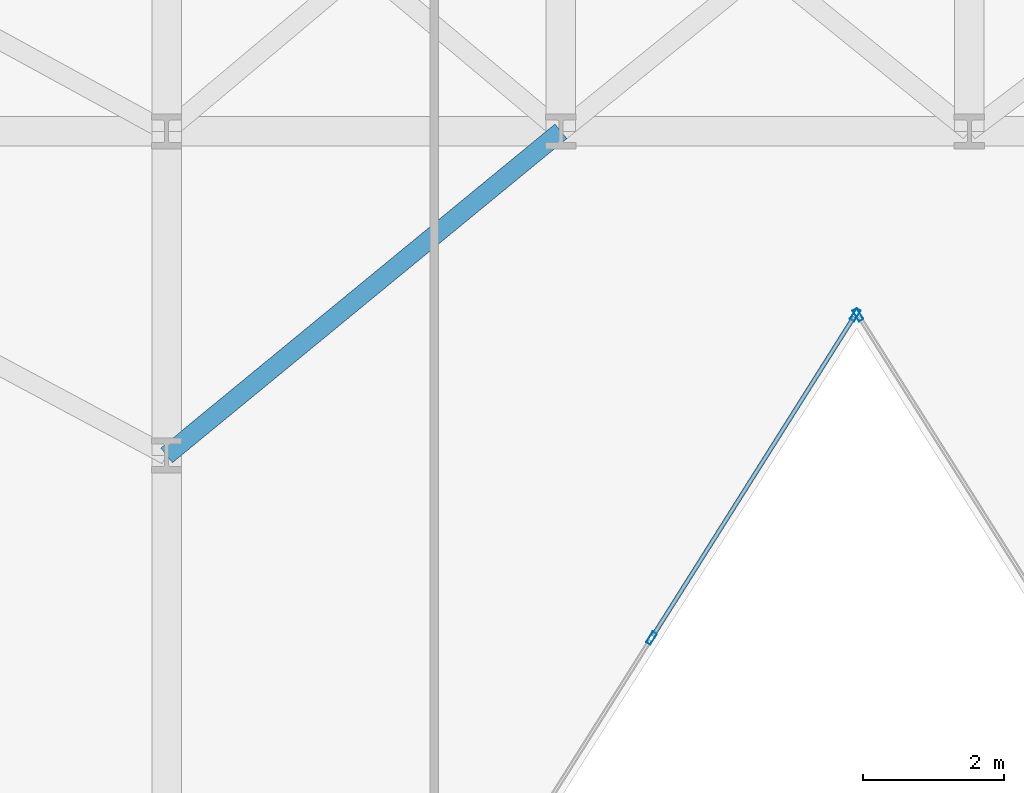
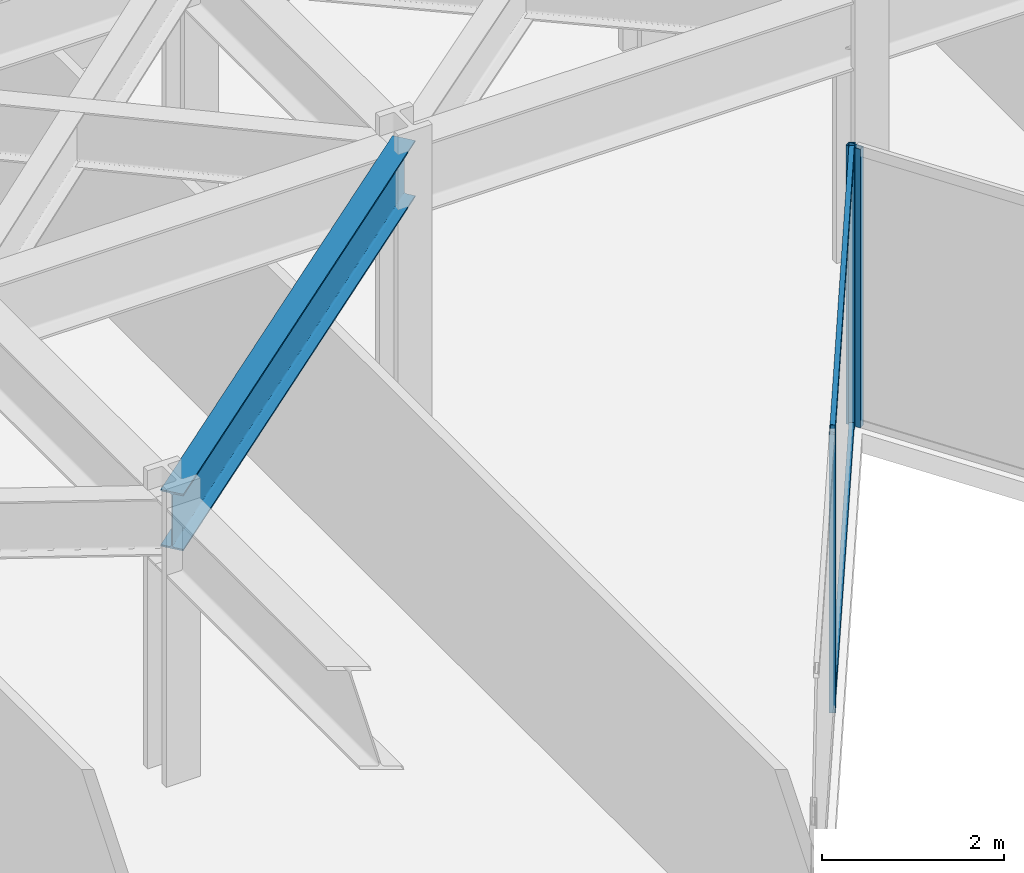
# One storey, part 10 of 24: 5 members, 1 beam, 2 elements without a shape of their own.
"""IFC4 building model written with IfcOpenShell, lengths in metres."""

from ifc_helpers import new_model, si_unit, direction, frame, origin, origin_2d, place, context, subcontext, project, spatial, hollow_rectangle, i_section, extrude, material, layer, layer_set, material_profile, profile_set, type_object, element, aggregate, save


model = new_model("IFC4")

# Units and contexts
model_context = context("Model", 3, precision=1e-05, world=origin(), true_north=direction((0.0, 1.0)))
body_context = subcontext(model_context, "Body", "Model", "MODEL_VIEW")
ifc_project = project(units=[si_unit("LENGTHUNIT", "METRE"), si_unit("AREAUNIT", "SQUARE_METRE"), si_unit("VOLUMEUNIT", "CUBIC_METRE"), si_unit("PLANEANGLEUNIT", "RADIAN"), si_unit("MASSUNIT", "GRAM", prefix="KILO")], contexts=[model_context])

# Site, building, storey
site_placement = place(None, origin())
site = spatial("IfcSite", under=ifc_project, at=site_placement, CompositionType="ELEMENT")
building_placement = place(site_placement, origin())
building = spatial("IfcBuilding", under=site, at=building_placement, Name="Kravanh Interchange Tower", CompositionType="ELEMENT")
storey_placement = place(building_placement, frame((0.0, 0.0, 77.5)))
storey = spatial("IfcBuildingStorey", under=building, at=storey_placement, Name="L18", CompositionType="ELEMENT", Elevation=77.5)

# Curtain wall, member
ifc_material_1 = material(Name="Anodised Bronze Aluminium", Category="aluminium")
ifc_layer = layer(ifc_material_1, 0.179931640625)
ifc_layer_set = layer_set([ifc_layer], Name="Unitised Curtain Wall System CW-Z1 Lower Office")
curtain_wall_type = type_object("IfcCurtainWallType", Name="Unitised Curtain Wall System CW-Z1 Lower Office", PredefinedType="NOTDEFINED", material=ifc_layer_set)
curtain_wall_1_placement = place(storey_placement, origin())
curtain_wall_1 = element("IfcCurtainWall", 1, at=curtain_wall_1_placement, inside=storey, type_object=curtain_wall_type, Name="L18 Unitised Curtain Wall CW-L18-04", PredefinedType="NOTDEFINED")
ifc_material_2 = material(Name="Anodised Bronze Aluminium", Category="aluminium")
ifc_material_profile_1 = material_profile(ifc_material_2, hollow_rectangle(XDim=0.070068359375, YDim=0.179931640625, WallThickness=0.00390625, at=origin_2d()), Name="ALU70X180X4")
ifc_profile_set_1 = profile_set([ifc_material_profile_1], Name="Anodised Bronze Aluminium")
member_type_1 = type_object("IfcMemberType", Name="Curtain Wall Mullion ALU70X180X4 Bronze", PredefinedType="MULLION", material=ifc_profile_set_1)
member_1_placement = place(storey_placement, frame((37.0185546875, 24.1953125, 0.0), z_axis=(0.0, 0.0, 1.0), x_axis=(-0.845925530786, -0.53330103728, 0.0)))
member_1 = element("IfcMember", 2, at=member_1_placement, type_object=member_type_1, Name="CW-Z1 mullion 6", PredefinedType="MULLION", context=body_context, shape_type="SweptSolid", body=[
    extrude(hollow_rectangle(XDim=0.070068359375, YDim=0.179931640625, WallThickness=0.00390625, at=origin_2d()), origin(), (0.0, 0.0, 1.0), 3.739990234375),
])
aggregate(curtain_wall_1, [member_1])

# Curtain wall, members
curtain_wall_2_placement = place(storey_placement, origin())
curtain_wall_2 = element("IfcCurtainWall", 3, at=curtain_wall_2_placement, inside=storey, type_object=curtain_wall_type, Name="L18 Unitised Curtain Wall CW-L18-05", PredefinedType="NOTDEFINED")
member_2_placement = place(storey_placement, frame((36.9814453125, 24.1953125, 0.0), z_axis=(0.0, 0.0, 1.0), x_axis=(0.845925530786, -0.53330103728, 0.0)))
member_2 = element("IfcMember", 4, at=member_2_placement, type_object=member_type_1, Name="CW-Z1 mullion 1", PredefinedType="MULLION", context=body_context, shape_type="SweptSolid", body=[
    extrude(hollow_rectangle(XDim=0.070068359375, YDim=0.179931640625, WallThickness=0.00390625, at=origin_2d()), origin(), (0.0, 0.0, 1.0), 3.739990234375),
])
member_3_placement = place(storey_placement, frame((34.086669921875, 19.60400390625, 0.0), z_axis=(0.0, 0.0, 1.0), x_axis=(0.845925530786, -0.53330103728, 0.0)))
member_3 = element("IfcMember", 5, at=member_3_placement, type_object=member_type_1, Name="CW-Z1 mullion 2", PredefinedType="MULLION", context=body_context, shape_type="SweptSolid", body=[
    extrude(hollow_rectangle(XDim=0.070068359375, YDim=0.179931640625, WallThickness=0.00390625, at=origin_2d()), origin(), (0.0, 0.0, 1.0), 3.739990234375),
])
ifc_material_3 = material(Name="Anodised Bronze Aluminium", Category="aluminium")
ifc_material_profile_2 = material_profile(ifc_material_3, hollow_rectangle(XDim=0.06005859375, YDim=0.139892578125, WallThickness=0.00390625, at=origin_2d()), Name="ALU60X140X4")
ifc_profile_set_2 = profile_set([ifc_material_profile_2], Name="Anodised Bronze Aluminium")
member_type_2 = type_object("IfcMemberType", Name="Curtain Wall Transom ALU60X140X4 Bronze", PredefinedType="USERDEFINED", material=ifc_profile_set_2)
member_4_placement = place(storey_placement, frame((36.962646484375, 24.165771484375, 0.030029296875), z_axis=(-0.533288163518, -0.845933646719, 0.0), x_axis=(0.845933646719, -0.533288163518, 0.0)))
member_4 = element("IfcMember", 6, at=member_4_placement, type_object=member_type_2, Name="CW-Z1 transom 1.1", ObjectType="TRANSOM", PredefinedType="USERDEFINED", context=body_context, shape_type="SweptSolid", body=[
    extrude(hollow_rectangle(XDim=0.06005859375, YDim=0.139892578125, WallThickness=0.00390625, at=origin_2d()), origin(), (0.0, 0.0, 1.0), 5.357666015625),
])
member_5_placement = place(storey_placement, frame((36.962646484375, 24.165771484375, 3.7099609375), z_axis=(-0.533288163518, -0.845933646719, 0.0), x_axis=(0.845933646719, -0.533288163518, 0.0)))
member_5 = element("IfcMember", 7, at=member_5_placement, type_object=member_type_2, Name="CW-Z1 transom 1.2", ObjectType="TRANSOM", PredefinedType="USERDEFINED", context=body_context, shape_type="SweptSolid", body=[
    extrude(hollow_rectangle(XDim=0.06005859375, YDim=0.139892578125, WallThickness=0.00390625, at=origin_2d()), origin(), (0.0, 0.0, 1.0), 5.357666015625),
])
aggregate(curtain_wall_2, [member_2, member_3, member_4, member_5])

# Beam
ifc_material_4 = material(Name="Structural Steel S355", Category="steel")
ifc_material_profile_3 = material_profile(ifc_material_4, i_section(OverallWidth=0.26708984375, OverallDepth=0.761962890625, WebThickness=0.014404296875, FlangeThickness=0.021484375, FilletRadius=0.02490234375, at=origin_2d()), Name="W30X116")
ifc_profile_set_3 = profile_set([ifc_material_profile_3], Name="Structural Steel S355")
beam_type = type_object("IfcBeamType", Name="Floor Spandrel W30X116 Structural Steel S355", PredefinedType="SPANDREL", material=ifc_profile_set_3)
beam_placement = place(storey_placement, frame((27.199951171875, 22.199951171875, 3.35888671875), z_axis=(0.772725074305, 0.634740860147, 0.0), x_axis=(-0.634740860147, 0.772725074305, 0.0)))
element("IfcBeam", 8, at=beam_placement, inside=storey, type_object=beam_type, Name="L18 Perimeter Spandrel 55", PredefinedType="SPANDREL", context=body_context, shape_type="SweptSolid", body=[
    extrude(i_section(OverallWidth=0.26708984375, OverallDepth=0.761962890625, WebThickness=0.014404296875, FlangeThickness=0.021484375, FilletRadius=0.02490234375, at=origin_2d()), origin(), (0.0, 0.0, 1.0), 7.247314453125),
])

save(model, "model.ifc")
